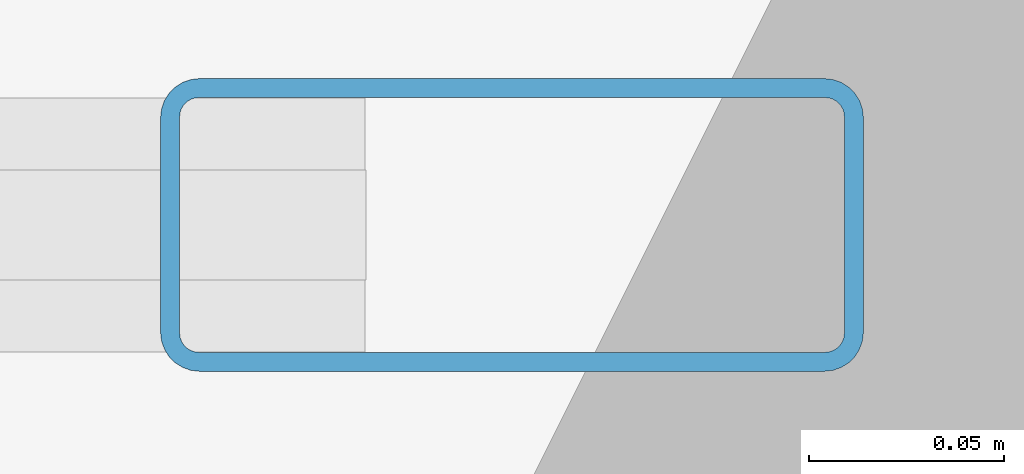
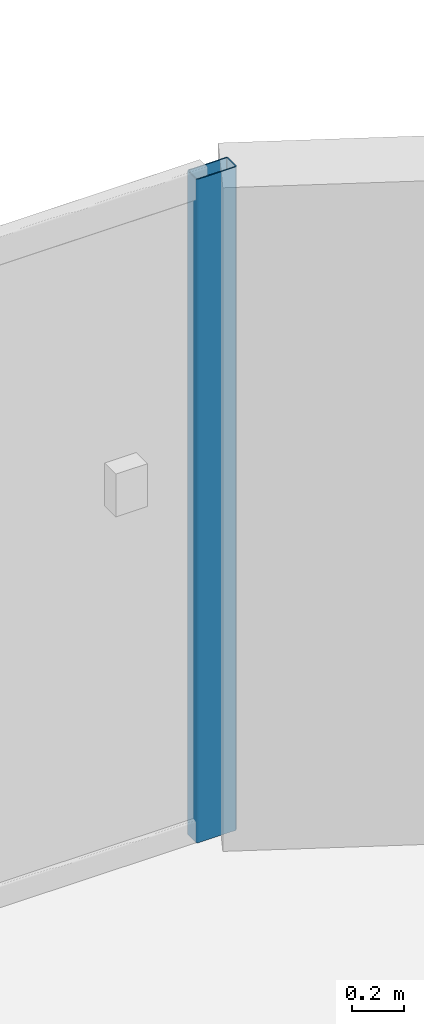
# One storey, part 8 of 20: 1 member, 1 element without a shape of its own.
"""IFC4 building model written with IfcOpenShell, lengths in metres."""

from ifc_helpers import new_model, si_unit, direction, frame, origin, origin_2d, place, context, subcontext, project, spatial, hollow_rectangle, extrude, material, layer, layer_set, material_profile, profile_set, type_object, element, aggregate, save


model = new_model("IFC4")

# Units and contexts
model_context = context("Model", 3, precision=1e-05, world=origin(), true_north=direction((0.0, 1.0)))
body_context = subcontext(model_context, "Body", "Model", "MODEL_VIEW")
ifc_project = project(units=[si_unit("LENGTHUNIT", "METRE"), si_unit("AREAUNIT", "SQUARE_METRE"), si_unit("VOLUMEUNIT", "CUBIC_METRE"), si_unit("PLANEANGLEUNIT", "RADIAN"), si_unit("MASSUNIT", "GRAM", prefix="KILO")], contexts=[model_context])

# Site, building, storey
site_placement = place(None, origin())
site = spatial("IfcSite", under=ifc_project, at=site_placement, CompositionType="ELEMENT")
building_placement = place(site_placement, origin())
building = spatial("IfcBuilding", under=site, at=building_placement, Name="Tarnavaz Court Tower", CompositionType="ELEMENT")
storey_placement = place(building_placement, frame((0.0, 0.0, 34.050048828125)))
storey = spatial("IfcBuildingStorey", under=building, at=storey_placement, Name="L08", CompositionType="ELEMENT", Elevation=34.050048828125)

# Curtain wall, member
ifc_material_1 = material(Name="Anodised Aluminium 6063-T6 and Solar Low-E Glazing", Category="aluminium")
ifc_layer = layer(ifc_material_1, 0.179931640625)
ifc_layer_set = layer_set([ifc_layer], Name="Anodised Aluminium 6063-T6 and Solar Low-E Glazing")
curtain_wall_type = type_object("IfcCurtainWallType", Name="CW-SYS-02", PredefinedType="NOTDEFINED", material=ifc_layer_set)
curtain_wall_placement = place(storey_placement, origin())
curtain_wall = element("IfcCurtainWall", 1, at=curtain_wall_placement, inside=storey, type_object=curtain_wall_type, Name="L08 Iwan Prow Curtain Wall 7", PredefinedType="NOTDEFINED")
ifc_material_2 = material(Name="Anodised Aluminium 6063-T6", Category="aluminium")
ifc_material_profile = material_profile(ifc_material_2, hollow_rectangle(XDim=0.074951171875, YDim=0.179931640625, WallThickness=0.0048828125, InnerFilletRadius=0.0048828125, OuterFilletRadius=0.010009765625, at=origin_2d()), Name="ALU RHS 180X75X5")
ifc_profile_set = profile_set([ifc_material_profile], Name="Anodised Aluminium 6063-T6")
member_type = type_object("IfcMemberType", Name="CW-MUL-180", PredefinedType="MULLION", material=ifc_profile_set)
member_placement = place(storey_placement, frame((4.3125, 25.050048828125, 0.0), z_axis=(0.0, 0.0, 1.0), x_axis=(0.0, 1.0, 0.0)))
member = element("IfcMember", 2, at=member_placement, type_object=member_type, Name="CW mullion 4", PredefinedType="MULLION", context=body_context, shape_type="SweptSolid", body=[
    extrude(hollow_rectangle(XDim=0.074951171875, YDim=0.179931640625, WallThickness=0.0048828125, InnerFilletRadius=0.0048828125, OuterFilletRadius=0.010009765625, at=origin_2d()), origin(), (0.0, 0.0, 1.0), 3.099853515625),
])
aggregate(curtain_wall, [member])

save(model, "model.ifc")
